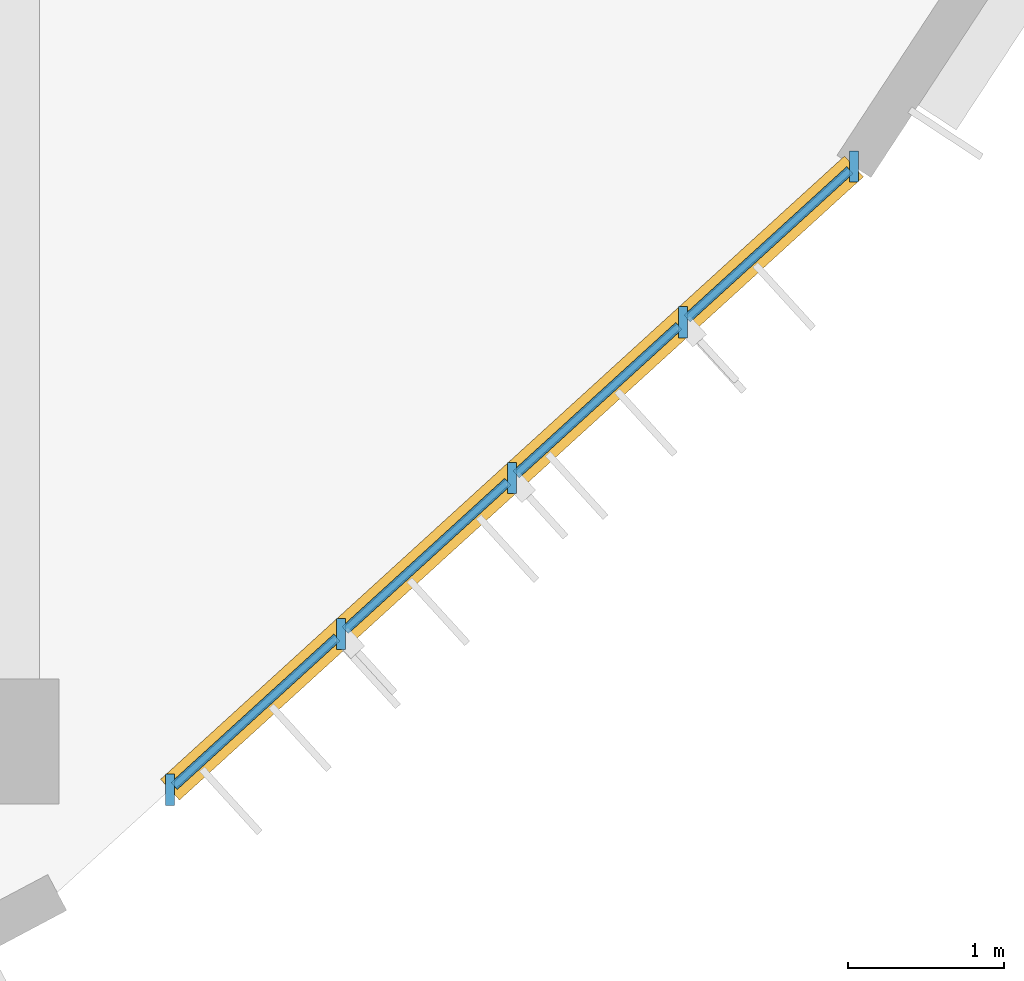
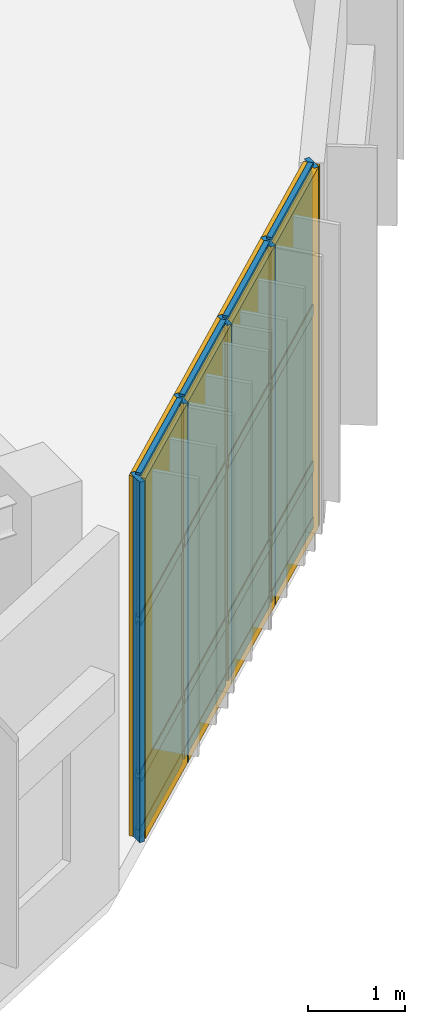
# One storey, part 99 of 122: 21 members, 12 plates, 1 curtain wall.
"""IFC4 building model written with IfcOpenShell, lengths in metres."""

from ifc_helpers import new_model, si_unit, direction, frame, frame_2d, origin, origin_2d, place, context, subcontext, project, spatial, rectangle, extrude, material, layer, layer_set, material_profile, profile_set, type_object, element, aggregate, save


model = new_model("IFC4")

# Units and contexts
model_context = context("Model", 3, precision=1e-05, world=origin(), true_north=direction((0.0, 1.0)))
body_context = subcontext(model_context, "Body", "Model", "MODEL_VIEW")
ifc_project = project(units=[si_unit("LENGTHUNIT", "METRE"), si_unit("AREAUNIT", "SQUARE_METRE"), si_unit("VOLUMEUNIT", "CUBIC_METRE"), si_unit("PLANEANGLEUNIT", "RADIAN"), si_unit("MASSUNIT", "GRAM", prefix="KILO")], contexts=[model_context])

# Member
ifc_material_1 = material(Name="Anodised Bronze Aluminium 6063-T6", Category="aluminium")
ifc_material_profile_1 = material_profile(ifc_material_1, rectangle(XDim=0.06005859375, YDim=0.199951171875, at=origin_2d()), Name="ALU MULLION 60x200")
ifc_profile_set_1 = profile_set([ifc_material_profile_1], Name="Anodised Bronze Aluminium 6063-T6")
member_type_1 = type_object("IfcMemberType", Name="Curtain-Wall Standard Mullion 60x200", PredefinedType="MULLION", material=ifc_profile_set_1)
site_placement = place(None, origin())
building_placement = place(site_placement, origin())
storey_placement = place(building_placement, origin())
member_1_placement = place(storey_placement, frame((151.61279296875, 22.69189453125, 0.0), z_axis=(0.0, 0.0, 1.0), x_axis=(1.0, 0.0, 0.0)))
member_1 = element("IfcMember", 1, at=member_1_placement, type_object=member_type_1, Name="Mullion CWM-03 CW-V4-DRUM-L00-S05-M01", PredefinedType="MULLION", context=body_context, shape_type="SweptSolid", body=[
    extrude(rectangle(XDim=0.06005859375, YDim=0.199951171875, at=origin_2d()), origin(), (0.0, 0.0, 1.0), 4.5400390625),
])

member_2_placement = place(storey_placement, frame((152.708984375, 23.69091796875, 0.0), z_axis=(0.0, 0.0, 1.0), x_axis=(1.0, 0.0, 0.0)))
member_2 = element("IfcMember", 2, at=member_2_placement, type_object=member_type_1, Name="Mullion CWM-03 CW-V4-DRUM-L00-S05-M02", PredefinedType="MULLION", context=body_context, shape_type="SweptSolid", body=[
    extrude(rectangle(XDim=0.06005859375, YDim=0.199951171875, at=origin_2d()), origin(), (0.0, 0.0, 1.0), 4.5400390625),
])

member_3_placement = place(storey_placement, frame((153.80517578125, 24.689697265625, 0.0), z_axis=(0.0, 0.0, 1.0), x_axis=(1.0, 0.0, 0.0)))
member_3 = element("IfcMember", 3, at=member_3_placement, type_object=member_type_1, Name="Mullion CWM-03 CW-V4-DRUM-L00-S05-M03", PredefinedType="MULLION", context=body_context, shape_type="SweptSolid", body=[
    extrude(rectangle(XDim=0.06005859375, YDim=0.199951171875, at=origin_2d()), origin(), (0.0, 0.0, 1.0), 4.5400390625),
])

member_4_placement = place(storey_placement, frame((154.9013671875, 25.6884765625, 0.0), z_axis=(0.0, 0.0, 1.0), x_axis=(1.0, 0.0, 0.0)))
member_4 = element("IfcMember", 4, at=member_4_placement, type_object=member_type_1, Name="Mullion CWM-03 CW-V4-DRUM-L00-S05-M04", PredefinedType="MULLION", context=body_context, shape_type="SweptSolid", body=[
    extrude(rectangle(XDim=0.06005859375, YDim=0.199951171875, at=origin_2d()), origin(), (0.0, 0.0, 1.0), 4.5400390625),
])

member_5_placement = place(storey_placement, frame((155.99755859375, 26.687255859375, 0.0), z_axis=(0.0, 0.0, 1.0), x_axis=(1.0, 0.0, 0.0)))
member_5 = element("IfcMember", 5, at=member_5_placement, type_object=member_type_1, Name="Mullion CWM-03 CW-V4-DRUM-L00-S05-M05", PredefinedType="MULLION", context=body_context, shape_type="SweptSolid", body=[
    extrude(rectangle(XDim=0.06005859375, YDim=0.199951171875, at=origin_2d()), origin(), (0.0, 0.0, 1.0), 4.5400390625),
])

ifc_material_profile_2 = material_profile(ifc_material_1, rectangle(XDim=0.06005859375, YDim=0.139892578125, at=origin_2d()), Name="ALU TRANSOM 60x140")
ifc_profile_set_2 = profile_set([ifc_material_profile_2], Name="Anodised Bronze Aluminium 6063-T6")
member_type_2 = type_object("IfcMemberType", Name="Curtain-Wall Transom 60x140", PredefinedType="USERDEFINED", material=ifc_profile_set_2)
member_6_placement = place(storey_placement, frame((151.638916015625, 22.715576171875, 0.0400390625), z_axis=(0.739095004209, 0.673601198599, 0.0), x_axis=(-0.673601198599, 0.739095004209, 0.0)))
member_6 = element("IfcMember", 6, at=member_6_placement, type_object=member_type_2, Name="Transom CWT-01 CW-V4-DRUM-L00-S05-T01.1", ObjectType="TRANSOM", PredefinedType="USERDEFINED", context=body_context, shape_type="SweptSolid", body=[
    extrude(rectangle(XDim=0.06005859375, YDim=0.139892578125, at=origin_2d()), origin(), (0.0, 0.0, 1.0), 1.412841796875),
])

member_7_placement = place(storey_placement, frame((151.638916015625, 22.715576171875, 0.75), z_axis=(0.739095004209, 0.673601198599, 0.0), x_axis=(-0.673601198599, 0.739095004209, 0.0)))
member_7 = element("IfcMember", 7, at=member_7_placement, type_object=member_type_2, Name="Transom CWT-01 CW-V4-DRUM-L00-S05-T01.2", ObjectType="TRANSOM", PredefinedType="USERDEFINED", context=body_context, shape_type="SweptSolid", body=[
    extrude(rectangle(XDim=0.06005859375, YDim=0.139892578125, at=origin_2d()), origin(), (0.0, 0.0, 1.0), 1.412841796875),
])

member_8_placement = place(storey_placement, frame((151.638916015625, 22.715576171875, 2.720703125), z_axis=(0.739095004209, 0.673601198599, 0.0), x_axis=(-0.673601198599, 0.739095004209, 0.0)))
member_8 = element("IfcMember", 8, at=member_8_placement, type_object=member_type_2, Name="Transom CWT-01 CW-V4-DRUM-L00-S05-T01.3", ObjectType="TRANSOM", PredefinedType="USERDEFINED", context=body_context, shape_type="SweptSolid", body=[
    extrude(rectangle(XDim=0.06005859375, YDim=0.139892578125, at=origin_2d()), origin(), (0.0, 0.0, 1.0), 1.412841796875),
])

member_9_placement = place(storey_placement, frame((151.638916015625, 22.715576171875, 4.5), z_axis=(0.739095004209, 0.673601198599, 0.0), x_axis=(-0.673601198599, 0.739095004209, 0.0)))
member_9 = element("IfcMember", 9, at=member_9_placement, type_object=member_type_2, Name="Transom CWT-01 CW-V4-DRUM-L00-S05-T01.4", ObjectType="TRANSOM", PredefinedType="USERDEFINED", context=body_context, shape_type="SweptSolid", body=[
    extrude(rectangle(XDim=0.06005859375, YDim=0.139892578125, at=origin_2d()), origin(), (0.0, 0.0, 1.0), 1.412841796875),
])

member_10_placement = place(storey_placement, frame((152.73486328125, 23.71435546875, 0.0400390625), z_axis=(0.739173398334, 0.673515172208, 0.0), x_axis=(-0.673515172208, 0.739173398334, 0.0)))
member_10 = element("IfcMember", 10, at=member_10_placement, type_object=member_type_2, Name="Transom CWT-01 CW-V4-DRUM-L00-S05-T02.1", ObjectType="TRANSOM", PredefinedType="USERDEFINED", context=body_context, shape_type="SweptSolid", body=[
    extrude(rectangle(XDim=0.06005859375, YDim=0.139892578125, at=origin_2d()), origin(), (0.0, 0.0, 1.0), 1.4130859375),
])

member_11_placement = place(storey_placement, frame((152.73486328125, 23.71435546875, 0.75), z_axis=(0.739173398334, 0.673515172208, 0.0), x_axis=(-0.673515172208, 0.739173398334, 0.0)))
member_11 = element("IfcMember", 11, at=member_11_placement, type_object=member_type_2, Name="Transom CWT-01 CW-V4-DRUM-L00-S05-T02.2", ObjectType="TRANSOM", PredefinedType="USERDEFINED", context=body_context, shape_type="SweptSolid", body=[
    extrude(rectangle(XDim=0.06005859375, YDim=0.139892578125, at=origin_2d()), origin(), (0.0, 0.0, 1.0), 1.4130859375),
])

member_12_placement = place(storey_placement, frame((152.73486328125, 23.71435546875, 2.720703125), z_axis=(0.739173398334, 0.673515172208, 0.0), x_axis=(-0.673515172208, 0.739173398334, 0.0)))
member_12 = element("IfcMember", 12, at=member_12_placement, type_object=member_type_2, Name="Transom CWT-01 CW-V4-DRUM-L00-S05-T02.3", ObjectType="TRANSOM", PredefinedType="USERDEFINED", context=body_context, shape_type="SweptSolid", body=[
    extrude(rectangle(XDim=0.06005859375, YDim=0.139892578125, at=origin_2d()), origin(), (0.0, 0.0, 1.0), 1.4130859375),
])

member_13_placement = place(storey_placement, frame((152.73486328125, 23.71435546875, 4.5), z_axis=(0.739173398334, 0.673515172208, 0.0), x_axis=(-0.673515172208, 0.739173398334, 0.0)))
member_13 = element("IfcMember", 13, at=member_13_placement, type_object=member_type_2, Name="Transom CWT-01 CW-V4-DRUM-L00-S05-T02.4", ObjectType="TRANSOM", PredefinedType="USERDEFINED", context=body_context, shape_type="SweptSolid", body=[
    extrude(rectangle(XDim=0.06005859375, YDim=0.139892578125, at=origin_2d()), origin(), (0.0, 0.0, 1.0), 1.4130859375),
])

member_14_placement = place(storey_placement, frame((153.8310546875, 24.713134765625, 0.0400390625), z_axis=(0.739173398334, 0.673515172208, 0.0), x_axis=(-0.673515172208, 0.739173398334, 0.0)))
member_14 = element("IfcMember", 14, at=member_14_placement, type_object=member_type_2, Name="Transom CWT-01 CW-V4-DRUM-L00-S05-T03.1", ObjectType="TRANSOM", PredefinedType="USERDEFINED", context=body_context, shape_type="SweptSolid", body=[
    extrude(rectangle(XDim=0.06005859375, YDim=0.139892578125, at=origin_2d()), origin(), (0.0, 0.0, 1.0), 1.4130859375),
])

member_15_placement = place(storey_placement, frame((153.8310546875, 24.713134765625, 0.75), z_axis=(0.739173398334, 0.673515172208, 0.0), x_axis=(-0.673515172208, 0.739173398334, 0.0)))
member_15 = element("IfcMember", 15, at=member_15_placement, type_object=member_type_2, Name="Transom CWT-01 CW-V4-DRUM-L00-S05-T03.2", ObjectType="TRANSOM", PredefinedType="USERDEFINED", context=body_context, shape_type="SweptSolid", body=[
    extrude(rectangle(XDim=0.06005859375, YDim=0.139892578125, at=origin_2d()), origin(), (0.0, 0.0, 1.0), 1.4130859375),
])

member_16_placement = place(storey_placement, frame((153.8310546875, 24.713134765625, 2.720703125), z_axis=(0.739173398334, 0.673515172208, 0.0), x_axis=(-0.673515172208, 0.739173398334, 0.0)))
member_16 = element("IfcMember", 16, at=member_16_placement, type_object=member_type_2, Name="Transom CWT-01 CW-V4-DRUM-L00-S05-T03.3", ObjectType="TRANSOM", PredefinedType="USERDEFINED", context=body_context, shape_type="SweptSolid", body=[
    extrude(rectangle(XDim=0.06005859375, YDim=0.139892578125, at=origin_2d()), origin(), (0.0, 0.0, 1.0), 1.4130859375),
])

member_17_placement = place(storey_placement, frame((153.8310546875, 24.713134765625, 4.5), z_axis=(0.739173398334, 0.673515172208, 0.0), x_axis=(-0.673515172208, 0.739173398334, 0.0)))
member_17 = element("IfcMember", 17, at=member_17_placement, type_object=member_type_2, Name="Transom CWT-01 CW-V4-DRUM-L00-S05-T03.4", ObjectType="TRANSOM", PredefinedType="USERDEFINED", context=body_context, shape_type="SweptSolid", body=[
    extrude(rectangle(XDim=0.06005859375, YDim=0.139892578125, at=origin_2d()), origin(), (0.0, 0.0, 1.0), 1.4130859375),
])

member_18_placement = place(storey_placement, frame((154.92724609375, 25.7119140625, 0.0400390625), z_axis=(0.739087382352, 0.673609561428, 0.0), x_axis=(-0.673609561428, 0.739087382352, 0.0)))
member_18 = element("IfcMember", 18, at=member_18_placement, type_object=member_type_2, Name="Transom CWT-01 CW-V4-DRUM-L00-S05-T04.1", ObjectType="TRANSOM", PredefinedType="USERDEFINED", context=body_context, shape_type="SweptSolid", body=[
    extrude(rectangle(XDim=0.06005859375, YDim=0.139892578125, at=origin_2d()), origin(), (0.0, 0.0, 1.0), 1.4130859375),
])

member_19_placement = place(storey_placement, frame((154.92724609375, 25.7119140625, 0.75), z_axis=(0.739087382352, 0.673609561428, 0.0), x_axis=(-0.673609561428, 0.739087382352, 0.0)))
member_19 = element("IfcMember", 19, at=member_19_placement, type_object=member_type_2, Name="Transom CWT-01 CW-V4-DRUM-L00-S05-T04.2", ObjectType="TRANSOM", PredefinedType="USERDEFINED", context=body_context, shape_type="SweptSolid", body=[
    extrude(rectangle(XDim=0.06005859375, YDim=0.139892578125, at=origin_2d()), origin(), (0.0, 0.0, 1.0), 1.4130859375),
])

member_20_placement = place(storey_placement, frame((154.92724609375, 25.7119140625, 2.720703125), z_axis=(0.739087382352, 0.673609561428, 0.0), x_axis=(-0.673609561428, 0.739087382352, 0.0)))
member_20 = element("IfcMember", 20, at=member_20_placement, type_object=member_type_2, Name="Transom CWT-01 CW-V4-DRUM-L00-S05-T04.3", ObjectType="TRANSOM", PredefinedType="USERDEFINED", context=body_context, shape_type="SweptSolid", body=[
    extrude(rectangle(XDim=0.06005859375, YDim=0.139892578125, at=origin_2d()), origin(), (0.0, 0.0, 1.0), 1.4130859375),
])

member_21_placement = place(storey_placement, frame((154.92724609375, 25.7119140625, 4.5), z_axis=(0.739087382352, 0.673609561428, 0.0), x_axis=(-0.673609561428, 0.739087382352, 0.0)))
member_21 = element("IfcMember", 21, at=member_21_placement, type_object=member_type_2, Name="Transom CWT-01 CW-V4-DRUM-L00-S05-T04.4", ObjectType="TRANSOM", PredefinedType="USERDEFINED", context=body_context, shape_type="SweptSolid", body=[
    extrude(rectangle(XDim=0.06005859375, YDim=0.139892578125, at=origin_2d()), origin(), (0.0, 0.0, 1.0), 1.4130859375),
])

# Plate
ifc_material_2 = material(Name="Insulated Bronze Aluminium Spandrel Panel", Category="aluminium")
ifc_layer_1 = layer(ifc_material_2, 0.050048828125, Name="Insulated Bronze Aluminium Spandrel Panel")
ifc_layer_set_1 = layer_set([ifc_layer_1], Name="Insulated Bronze Aluminium Spandrel Panel")
plate_type_1 = type_object("IfcPlateType", Name="Insulated Anodised Aluminium Spandrel Cassette 50", PredefinedType="CURTAIN_PANEL", material=ifc_layer_set_1)
plate_1_placement = place(storey_placement, frame((152.160888671875, 23.19140625, 0.070068359375), z_axis=(0.0, 0.0, 1.0), x_axis=(0.739150483547, 0.673540320005, 0.0)))
plate_1 = element("IfcPlate", 22, at=plate_1_placement, type_object=plate_type_1, Name="Curtain Panel CWP-03 CW-V4-DRUM-L00-S05-P01.1", PredefinedType="CURTAIN_PANEL", context=body_context, shape_type="SweptSolid", body=[
    extrude(rectangle(XDim=1.4130859375, YDim=0.050048828125, at=origin_2d()), origin(), (0.0, 0.0, 1.0), 0.64990234375),
])

plate_2_placement = place(storey_placement, frame((153.257080078125, 24.190185546875, 0.070068359375), z_axis=(0.0, 0.0, 1.0), x_axis=(0.739150483547, 0.673540320005, 0.0)))
plate_2 = element("IfcPlate", 23, at=plate_2_placement, type_object=plate_type_1, Name="Curtain Panel CWP-03 CW-V4-DRUM-L00-S05-P02.1", PredefinedType="CURTAIN_PANEL", context=body_context, shape_type="SweptSolid", body=[
    extrude(rectangle(XDim=1.4130859375, YDim=0.050048828125, at=origin_2d()), origin(), (0.0, 0.0, 1.0), 0.64990234375),
])

plate_3_placement = place(storey_placement, frame((154.353271484375, 25.18896484375, 0.070068359375), z_axis=(0.0, 0.0, 1.0), x_axis=(0.739150483547, 0.673540320005, 0.0)))
plate_3 = element("IfcPlate", 24, at=plate_3_placement, type_object=plate_type_1, Name="Curtain Panel CWP-03 CW-V4-DRUM-L00-S05-P03.1", PredefinedType="CURTAIN_PANEL", context=body_context, shape_type="SweptSolid", body=[
    extrude(rectangle(XDim=1.4130859375, YDim=0.050048828125, at=origin_2d()), origin(), (0.0, 0.0, 1.0), 0.64990234375),
])

plate_4_placement = place(storey_placement, frame((155.449462890625, 26.18798828125, 0.070068359375), z_axis=(0.0, 0.0, 1.0), x_axis=(0.739150483547, 0.673540320005, 0.0)))
plate_4 = element("IfcPlate", 25, at=plate_4_placement, type_object=plate_type_1, Name="Curtain Panel CWP-03 CW-V4-DRUM-L00-S05-P04.1", PredefinedType="CURTAIN_PANEL", context=body_context, shape_type="SweptSolid", body=[
    extrude(rectangle(XDim=1.4130859375, YDim=0.050048828125, at=origin_2d()), origin(), (0.0, 0.0, 1.0), 0.64990234375),
])

ifc_material_3 = material(Name="Solar-Control Tempered Double Glazing", Category="glass")
ifc_layer_2 = layer(ifc_material_3, 0.0380859375, Name="Solar-Control Tempered Double Glazing")
ifc_layer_set_2 = layer_set([ifc_layer_2], Name="Solar-Control Tempered Double Glazing")
plate_type_2 = type_object("IfcPlateType", Name="Solar-Control Vision Glazing Unit 38", PredefinedType="CURTAIN_PANEL", material=ifc_layer_set_2)
plate_5_placement = place(storey_placement, frame((152.160888671875, 23.19140625, 0.77978515625), z_axis=(0.0, 0.0, 1.0), x_axis=(0.739150483547, 0.673540320005, 0.0)))
plate_5 = element("IfcPlate", 26, at=plate_5_placement, type_object=plate_type_2, Name="Curtain Panel CWP-02 CW-V4-DRUM-L00-S05-P01.2", PredefinedType="CURTAIN_PANEL", context=body_context, shape_type="SweptSolid", body=[
    extrude(rectangle(XDim=1.4130859375, YDim=0.0380859375, at=origin_2d()), origin(), (0.0, 0.0, 1.0), 1.910888671875),
])

plate_6_placement = place(storey_placement, frame((152.160888671875, 23.19140625, 2.750732421875), z_axis=(0.0, 0.0, 1.0), x_axis=(0.739150483547, 0.673540320005, 0.0)))
plate_6 = element("IfcPlate", 27, at=plate_6_placement, type_object=plate_type_2, Name="Curtain Panel CWP-02 CW-V4-DRUM-L00-S05-P01.3", PredefinedType="CURTAIN_PANEL", context=body_context, shape_type="SweptSolid", body=[
    extrude(rectangle(XDim=1.4130859375, YDim=0.0380859375, at=origin_2d()), origin(), (0.0, 0.0, 1.0), 1.71923828125),
])

plate_7_placement = place(storey_placement, frame((153.257080078125, 24.190185546875, 0.77978515625), z_axis=(0.0, 0.0, 1.0), x_axis=(0.739150483547, 0.673540320005, 0.0)))
plate_7 = element("IfcPlate", 28, at=plate_7_placement, type_object=plate_type_2, Name="Curtain Panel CWP-02 CW-V4-DRUM-L00-S05-P02.2", PredefinedType="CURTAIN_PANEL", context=body_context, shape_type="SweptSolid", body=[
    extrude(rectangle(XDim=1.4130859375, YDim=0.0380859375, at=origin_2d()), origin(), (0.0, 0.0, 1.0), 1.910888671875),
])

plate_8_placement = place(storey_placement, frame((153.257080078125, 24.190185546875, 2.750732421875), z_axis=(0.0, 0.0, 1.0), x_axis=(0.739150483547, 0.673540320005, 0.0)))
plate_8 = element("IfcPlate", 29, at=plate_8_placement, type_object=plate_type_2, Name="Curtain Panel CWP-02 CW-V4-DRUM-L00-S05-P02.3", PredefinedType="CURTAIN_PANEL", context=body_context, shape_type="SweptSolid", body=[
    extrude(rectangle(XDim=1.4130859375, YDim=0.0380859375, at=origin_2d()), origin(), (0.0, 0.0, 1.0), 1.71923828125),
])

plate_9_placement = place(storey_placement, frame((154.353271484375, 25.18896484375, 0.77978515625), z_axis=(0.0, 0.0, 1.0), x_axis=(0.739150483547, 0.673540320005, 0.0)))
plate_9 = element("IfcPlate", 30, at=plate_9_placement, type_object=plate_type_2, Name="Curtain Panel CWP-02 CW-V4-DRUM-L00-S05-P03.2", PredefinedType="CURTAIN_PANEL", context=body_context, shape_type="SweptSolid", body=[
    extrude(rectangle(XDim=1.4130859375, YDim=0.0380859375, at=origin_2d()), origin(), (0.0, 0.0, 1.0), 1.910888671875),
])

plate_10_placement = place(storey_placement, frame((154.353271484375, 25.18896484375, 2.750732421875), z_axis=(0.0, 0.0, 1.0), x_axis=(0.739150483547, 0.673540320005, 0.0)))
plate_10 = element("IfcPlate", 31, at=plate_10_placement, type_object=plate_type_2, Name="Curtain Panel CWP-02 CW-V4-DRUM-L00-S05-P03.3", PredefinedType="CURTAIN_PANEL", context=body_context, shape_type="SweptSolid", body=[
    extrude(rectangle(XDim=1.4130859375, YDim=0.0380859375, at=origin_2d()), origin(), (0.0, 0.0, 1.0), 1.71923828125),
])

plate_11_placement = place(storey_placement, frame((155.449462890625, 26.18798828125, 0.77978515625), z_axis=(0.0, 0.0, 1.0), x_axis=(0.739150483547, 0.673540320005, 0.0)))
plate_11 = element("IfcPlate", 32, at=plate_11_placement, type_object=plate_type_2, Name="Curtain Panel CWP-02 CW-V4-DRUM-L00-S05-P04.2", PredefinedType="CURTAIN_PANEL", context=body_context, shape_type="SweptSolid", body=[
    extrude(rectangle(XDim=1.4130859375, YDim=0.0380859375, at=origin_2d()), origin(), (0.0, 0.0, 1.0), 1.910888671875),
])

plate_12_placement = place(storey_placement, frame((155.449462890625, 26.18798828125, 2.750732421875), z_axis=(0.0, 0.0, 1.0), x_axis=(0.739150483547, 0.673540320005, 0.0)))
plate_12 = element("IfcPlate", 33, at=plate_12_placement, type_object=plate_type_2, Name="Curtain Panel CWP-02 CW-V4-DRUM-L00-S05-P04.3", PredefinedType="CURTAIN_PANEL", context=body_context, shape_type="SweptSolid", body=[
    extrude(rectangle(XDim=1.4130859375, YDim=0.0380859375, at=origin_2d()), origin(), (0.0, 0.0, 1.0), 1.71923828125),
])

# Site, building, storey
site = spatial("IfcSite", under=ifc_project, at=site_placement, CompositionType="ELEMENT")
building = spatial("IfcBuilding", under=site, at=building_placement, Name="Tazoul Stagehouse", CompositionType="ELEMENT")
storey = spatial("IfcBuildingStorey", under=building, at=storey_placement, Name="L00", CompositionType="ELEMENT", Elevation=0.0)

# Curtain wall
curtain_wall_type = type_object("IfcCurtainWallType", Name="Studio Drum Faceted Curtain Wall", PredefinedType="NOTDEFINED", material=ifc_material_1)
curtain_wall_placement = place(storey_placement, frame((151.61279296875, 22.69189453125, 0.0), z_axis=(0.0, 0.0, 1.0), x_axis=(0.739166740911, 0.673522478564, 0.0)))
curtain_wall = element("IfcCurtainWall", 34, at=curtain_wall_placement, inside=storey, type_object=curtain_wall_type, Name="L00 Curtain Wall CW-03 (CW-V4-DRUM-L00-S05)", PredefinedType="NOTDEFINED", context=body_context, shape_type="SweptSolid", body=[
    extrude(rectangle(XDim=5.93212890625, YDim=0.179931640625, at=frame_2d((2.966064453125, 0.0))), origin(), (0.0, 0.0, 1.0), 4.5400390625),
])

aggregate(curtain_wall, [member_1, member_2, member_3, member_4, member_5, member_6, member_7, member_8, member_9, plate_1, plate_5, plate_6, member_10, member_11, member_12, member_13, plate_2, plate_7, plate_8, member_14, member_15, member_16, member_17, plate_3, plate_9, plate_10, member_18, member_19, member_20, member_21, plate_4, plate_11, plate_12])

save(model, "model.ifc")
